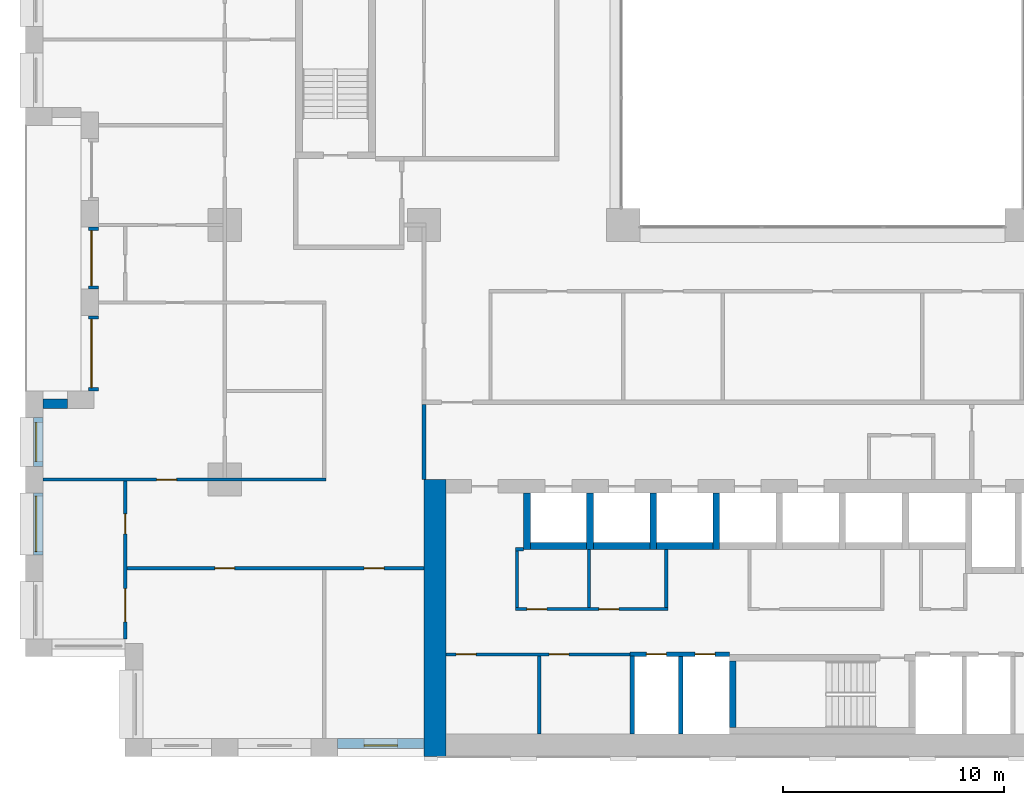
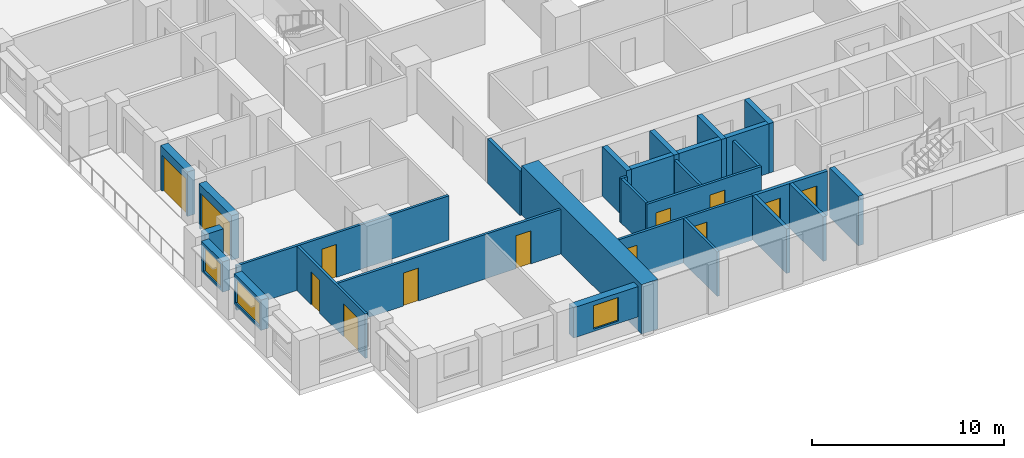
# One storey, part 9 of 20: 29 walls, 13 doors, 3 windows, 16 openings.
"""IFC4 building model written with IfcOpenShell, lengths in metres."""

from ifc_helpers import new_model, si_unit, direction, frame, frame_2d, origin, place, context, subcontext, project, spatial, rectangle, extrude, material, layer, layer_set, type_object, element, fill, save


model = new_model("IFC4")

# Units and contexts
model_context = context("Model", 3, precision=1e-05, world=origin(), true_north=direction((0.0, 1.0)))
body_context = subcontext(model_context, "Body", "Model", "MODEL_VIEW")
ifc_project = project(units=[si_unit("LENGTHUNIT", "METRE"), si_unit("AREAUNIT", "SQUARE_METRE"), si_unit("VOLUMEUNIT", "CUBIC_METRE"), si_unit("PLANEANGLEUNIT", "RADIAN"), si_unit("MASSUNIT", "GRAM", prefix="KILO")], contexts=[model_context])

# Site, building, storey
site_placement = place(None, origin())
site = spatial("IfcSite", under=ifc_project, at=site_placement, CompositionType="ELEMENT")
building_placement = place(site_placement, origin())
building = spatial("IfcBuilding", under=site, at=building_placement, Name="Brigalow Station Residences", CompositionType="ELEMENT")
storey_placement = place(building_placement, frame((0.0, 0.0, 41.550048828125)))
storey = spatial("IfcBuildingStorey", under=building, at=storey_placement, Name="L11", CompositionType="ELEMENT", Elevation=41.550048828125)

# Wall, opening, window
ifc_material_1 = material(Name="Clay brick masonry", Category="masonry")
ifc_layer_1 = layer(ifc_material_1, 0.449951171875)
ifc_layer_set_1 = layer_set([ifc_layer_1], Name="BRICK INFILL WALL 450")
wall_type_1 = type_object("IfcWallType", Name="BRICK INFILL WALL 450", PredefinedType="SOLIDWALL", material=ifc_layer_set_1)
wall_1_placement = place(storey_placement, frame((14.10009765625, 0.574951171875, 0.89990234375), z_axis=(0.0, 0.0, 1.0), x_axis=(1.0, 0.0, 0.0)))
wall_1 = element("IfcWall", 1, at=wall_1_placement, inside=storey, type_object=wall_type_1, Name="L11/ewall/W-L11-3", PredefinedType="SOLIDWALL", context=body_context, shape_type="SweptSolid", body=[
    extrude(rectangle(XDim=3.89990234375, YDim=0.449951171875, at=frame_2d((1.949951171875, 0.0))), origin(), (0.0, 0.0, 1.0), 1.929931640625),
])
opening_1_placement = place(wall_1_placement, frame((1.199951171875, 0.0, 0.14990234375)))
opening_1 = element("IfcOpeningElement", 2, at=opening_1_placement, cuts=wall_1, Name="Opening WT-1", PredefinedType="OPENING", context=body_context, shape_type="SweptSolid", body=[
    extrude(rectangle(XDim=1.5, YDim=1.5, at=frame_2d((0.75, 0.75))), frame((0.0, 0.23486328125, 0.0), z_axis=(0.0, -1.0, 0.0), x_axis=(1.0, 0.0, 0.0)), (0.0, 0.0, 1.0), 0.469970703125),
])
ifc_material_2 = material(Name="Anodised aluminium frame with double glazing", Category="aluminium")
window_type_1 = type_object("IfcWindowType", Name="WINDOW 1500x1500", PartitioningType="SINGLE_PANEL", PredefinedType="WINDOW", material=ifc_material_2)
window_1_placement = place(opening_1_placement, origin())
window_1 = element("IfcWindow", 3, at=window_1_placement, inside=storey, type_object=window_type_1, Name="L11/window/W-L11-3", OverallHeight=1.5, OverallWidth=1.5, PartitioningType="SINGLE_PANEL", PredefinedType="WINDOW", context=body_context, shape_type="SweptSolid", body=[
    extrude(rectangle(XDim=1.5, YDim=1.5, at=frame_2d((0.75, 0.75))), frame((0.0, -0.06494140625, 0.0), z_axis=(0.0, -1.0, 0.0), x_axis=(1.0, 0.0, 0.0)), (0.0, 0.0, 1.0), 0.06005859375),
])
fill(opening_1, window_1)

# Wall, opening, door
wall_2_placement = place(storey_placement, frame((3.074951171875, 23.89990234375, 0.0), z_axis=(0.0, 0.0, 1.0), x_axis=(0.0, -1.0, 0.0)))
wall_2 = element("IfcWall", 4, at=wall_2_placement, inside=storey, type_object=wall_type_1, Name="L11/ewall/W-L11-48", PredefinedType="SOLIDWALL", context=body_context, shape_type="SweptSolid", body=[
    extrude(rectangle(XDim=2.7998046875, YDim=0.449951171875, at=frame_2d((1.39990234375, 0.0))), origin(), (0.0, 0.0, 1.0), 2.829833984375),
])
opening_2_placement = place(wall_2_placement, frame((0.14990234375, 0.0, 0.0)))
opening_2 = element("IfcOpeningElement", 5, at=opening_2_placement, cuts=wall_2, Name="Opening D-B2500", PredefinedType="OPENING", context=body_context, shape_type="SweptSolid", body=[
    extrude(rectangle(XDim=2.5, YDim=2.300048828125, at=frame_2d((1.25, 1.14990234375))), frame((0.0, 0.23486328125, 0.0), z_axis=(0.0, -1.0, 0.0), x_axis=(1.0, 0.0, 0.0)), (0.0, 0.0, 1.0), 0.469970703125),
])
ifc_material_3 = material(Name="Anodised aluminium frame with double glazing", Category="aluminium")
door_type_1 = type_object("IfcDoorType", Name="BALCONY SLIDING DOOR 2500x2300", OperationType="SLIDING_TO_LEFT", PredefinedType="DOOR", material=ifc_material_3)
door_1_placement = place(opening_2_placement, origin())
door_1 = element("IfcDoor", 6, at=door_1_placement, inside=storey, type_object=door_type_1, Name="L11/balcony-door/W-L11-48", OperationType="SLIDING_TO_LEFT", OverallHeight=2.300048828125, OverallWidth=2.5, PredefinedType="DOOR", context=body_context, shape_type="SweptSolid", body=[
    extrude(rectangle(XDim=2.5, YDim=2.300048828125, at=frame_2d((1.25, 1.14990234375))), frame((0.0, -0.06982421875, 0.0), z_axis=(0.0, -1.0, 0.0), x_axis=(1.0, 0.0, 0.0)), (0.0, 0.0, 1.0), 0.050048828125),
])
fill(opening_2, door_1)

wall_3_placement = place(storey_placement, frame((3.074951171875, 19.89990234375, 0.0), z_axis=(0.0, 0.0, 1.0), x_axis=(0.0, -1.0, 0.0)))
wall_3 = element("IfcWall", 7, at=wall_3_placement, inside=storey, type_object=wall_type_1, Name="L11/ewall/W-L11-49", PredefinedType="SOLIDWALL", context=body_context, shape_type="SweptSolid", body=[
    extrude(rectangle(XDim=3.39990234375, YDim=0.449951171875, at=frame_2d((1.699951171875, 0.0))), origin(), (0.0, 0.0, 1.0), 2.829833984375),
])
opening_3_placement = place(wall_3_placement, frame((0.14990234375, 0.0, 0.0)))
opening_3 = element("IfcOpeningElement", 8, at=opening_3_placement, cuts=wall_3, Name="Opening D-B3100", PredefinedType="OPENING", context=body_context, shape_type="SweptSolid", body=[
    extrude(rectangle(XDim=3.10009765625, YDim=2.300048828125, at=frame_2d((1.550048828125, 1.14990234375))), frame((0.0, 0.23486328125, 0.0), z_axis=(0.0, -1.0, 0.0), x_axis=(1.0, 0.0, 0.0)), (0.0, 0.0, 1.0), 0.469970703125),
])
ifc_material_4 = material(Name="Anodised aluminium frame with double glazing", Category="aluminium")
door_type_2 = type_object("IfcDoorType", Name="BALCONY SLIDING DOOR 3100x2300", OperationType="SLIDING_TO_LEFT", PredefinedType="DOOR", material=ifc_material_4)
door_2_placement = place(opening_3_placement, origin())
door_2 = element("IfcDoor", 9, at=door_2_placement, inside=storey, type_object=door_type_2, Name="L11/balcony-door/W-L11-49", OperationType="SLIDING_TO_LEFT", OverallHeight=2.300048828125, OverallWidth=3.10009765625, PredefinedType="DOOR", context=body_context, shape_type="SweptSolid", body=[
    extrude(rectangle(XDim=3.10009765625, YDim=2.300048828125, at=frame_2d((1.550048828125, 1.14990234375))), frame((0.0, -0.06982421875, 0.0), z_axis=(0.0, -1.0, 0.0), x_axis=(1.0, 0.0, 0.0)), (0.0, 0.0, 1.0), 0.050048828125),
])
fill(opening_3, door_2)

# Wall
wall_4_placement = place(storey_placement, frame((1.89990234375, 15.925048828125, 0.89990234375), z_axis=(0.0, 0.0, 1.0), x_axis=(-1.0, 0.0, 0.0)))
element("IfcWall", 10, at=wall_4_placement, inside=storey, type_object=wall_type_1, Name="L11/ewall/W-L11-50", PredefinedType="SOLIDWALL", context=body_context, shape_type="SweptSolid", body=[
    extrude(rectangle(XDim=1.099853515625, YDim=0.449951171875, at=frame_2d((0.5498046875, 0.0))), origin(), (0.0, 0.0, 1.0), 1.929931640625),
])

# Wall, opening, window
wall_5_placement = place(storey_placement, frame((0.574951171875, 15.300048828125, 0.89990234375), z_axis=(0.0, 0.0, 1.0), x_axis=(0.0, -1.0, 0.0)))
wall_5 = element("IfcWall", 11, at=wall_5_placement, inside=storey, type_object=wall_type_1, Name="L11/ewall/W-L11-51", PredefinedType="SOLIDWALL", context=body_context, shape_type="SweptSolid", body=[
    extrude(rectangle(XDim=2.199951171875, YDim=0.449951171875, at=frame_2d((1.10009765625, 0.0))), origin(), (0.0, 0.0, 1.0), 1.929931640625),
])
opening_4_placement = place(wall_5_placement, frame((0.22509765625, 0.0, 0.14990234375)))
opening_4 = element("IfcOpeningElement", 12, at=opening_4_placement, cuts=wall_5, Name="Opening WT-4", PredefinedType="OPENING", context=body_context, shape_type="SweptSolid", body=[
    extrude(rectangle(XDim=1.75, YDim=1.5, at=frame_2d((0.875, 0.75))), frame((0.0, 0.23486328125, 0.0), z_axis=(0.0, -1.0, 0.0), x_axis=(1.0, 0.0, 0.0)), (0.0, 0.0, 1.0), 0.469970703125),
])
ifc_material_5 = material(Name="Anodised aluminium frame with double glazing", Category="aluminium")
window_type_2 = type_object("IfcWindowType", Name="WINDOW 1750x1500", PartitioningType="SINGLE_PANEL", PredefinedType="WINDOW", material=ifc_material_5)
window_2_placement = place(opening_4_placement, origin())
window_2 = element("IfcWindow", 13, at=window_2_placement, inside=storey, type_object=window_type_2, Name="L11/window/W-L11-51", OverallHeight=1.5, OverallWidth=1.75, PartitioningType="SINGLE_PANEL", PredefinedType="WINDOW", context=body_context, shape_type="SweptSolid", body=[
    extrude(rectangle(XDim=1.75, YDim=1.5, at=frame_2d((0.875, 0.75))), frame((0.0, -0.06494140625, 0.0), z_axis=(0.0, -1.0, 0.0), x_axis=(1.0, 0.0, 0.0)), (0.0, 0.0, 1.0), 0.06005859375),
])
fill(opening_4, window_2)

wall_6_placement = place(storey_placement, frame((0.574951171875, 11.89990234375, 0.89990234375), z_axis=(0.0, 0.0, 1.0), x_axis=(0.0, -1.0, 0.0)))
wall_6 = element("IfcWall", 14, at=wall_6_placement, inside=storey, type_object=wall_type_1, Name="L11/ewall/W-L11-52", PredefinedType="SOLIDWALL", context=body_context, shape_type="SweptSolid", body=[
    extrude(rectangle(XDim=2.7998046875, YDim=0.449951171875, at=frame_2d((1.39990234375, 0.0))), origin(), (0.0, 0.0, 1.0), 1.929931640625),
])
opening_5_placement = place(wall_6_placement, frame((0.14990234375, 0.0, 0.14990234375)))
opening_5 = element("IfcOpeningElement", 15, at=opening_5_placement, cuts=wall_6, Name="Opening WT-5", PredefinedType="OPENING", context=body_context, shape_type="SweptSolid", body=[
    extrude(rectangle(XDim=2.5, YDim=1.5, at=frame_2d((1.25, 0.75))), frame((0.0, 0.23486328125, 0.0), z_axis=(0.0, -1.0, 0.0), x_axis=(1.0, 0.0, 0.0)), (0.0, 0.0, 1.0), 0.469970703125),
])
ifc_material_6 = material(Name="Anodised aluminium frame with double glazing", Category="aluminium")
window_type_3 = type_object("IfcWindowType", Name="WINDOW 2500x1500", PartitioningType="SINGLE_PANEL", PredefinedType="WINDOW", material=ifc_material_6)
window_3_placement = place(opening_5_placement, origin())
window_3 = element("IfcWindow", 16, at=window_3_placement, inside=storey, type_object=window_type_3, Name="L11/window/W-L11-52", OverallHeight=1.5, OverallWidth=2.5, PartitioningType="SINGLE_PANEL", PredefinedType="WINDOW", context=body_context, shape_type="SweptSolid", body=[
    extrude(rectangle(XDim=2.5, YDim=1.5, at=frame_2d((1.25, 0.75))), frame((0.0, -0.06494140625, 0.0), z_axis=(0.0, -1.0, 0.0), x_axis=(1.0, 0.0, 0.0)), (0.0, 0.0, 1.0), 0.06005859375),
])
fill(opening_5, window_3)

# Walls
ifc_material_7 = material(Name="Concrete C80", Category="concrete")
ifc_layer_2 = layer(ifc_material_7, 1.0)
ifc_layer_set_2 = layer_set([ifc_layer_2], Name="CORE SHEAR WALL 1000 C80")
wall_type_2 = type_object("IfcWallType", Name="CORE SHEAR WALL 1000 C80", PredefinedType="SHEAR", material=ifc_layer_set_2)
wall_7_placement = place(storey_placement, frame((18.5, 0.0, 0.0), z_axis=(0.0, 0.0, 1.0), x_axis=(0.0, 1.0, 0.0)))
element("IfcWall", 17, at=wall_7_placement, inside=storey, type_object=wall_type_2, Name="CORE WALL OUT-W L11", PredefinedType="SHEAR", context=body_context, shape_type="SweptSolid", body=[
    extrude(rectangle(XDim=12.5, YDim=1.0, at=frame_2d((6.25, 0.0))), origin(), (0.0, 0.0, 1.0), 3.14990234375),
])
ifc_material_8 = material(Name="Concrete C80", Category="concrete")
ifc_layer_3 = layer(ifc_material_8, 0.300048828125)
ifc_layer_set_3 = layer_set([ifc_layer_3], Name="CORE SHEAR WALL 300 C80")
wall_type_3 = type_object("IfcWallType", Name="CORE SHEAR WALL 300 C80", PredefinedType="SHEAR", material=ifc_layer_set_3)
wall_8_placement = place(storey_placement, frame((22.800048828125, 9.5, 0.0), z_axis=(0.0, 0.0, 1.0), x_axis=(1.0, 0.0, 0.0)))
element("IfcWall", 18, at=wall_8_placement, inside=storey, type_object=wall_type_3, Name="CORE WALL SH-P1-S L11", PredefinedType="SHEAR", context=body_context, shape_type="SweptSolid", body=[
    extrude(rectangle(XDim=2.550048828125, YDim=0.300048828125, at=frame_2d((1.27490234375, 0.0))), origin(), (0.0, 0.0, 1.0), 3.14990234375),
])
wall_9_placement = place(storey_placement, frame((22.64990234375, 9.35009765625, 0.0), z_axis=(0.0, 0.0, 1.0), x_axis=(0.0, 1.0, 0.0)))
element("IfcWall", 19, at=wall_9_placement, inside=storey, type_object=wall_type_3, Name="CORE WALL SH-P1-W L11", PredefinedType="SHEAR", context=body_context, shape_type="SweptSolid", body=[
    extrude(rectangle(XDim=2.5498046875, YDim=0.300048828125, at=frame_2d((1.27490234375, 0.0))), origin(), (0.0, 0.0, 1.0), 3.14990234375),
])
wall_10_placement = place(storey_placement, frame((25.64990234375, 9.5, 0.0), z_axis=(0.0, 0.0, 1.0), x_axis=(1.0, 0.0, 0.0)))
element("IfcWall", 20, at=wall_10_placement, inside=storey, type_object=wall_type_3, Name="CORE WALL SH-P2-S L11", PredefinedType="SHEAR", context=body_context, shape_type="SweptSolid", body=[
    extrude(rectangle(XDim=2.550048828125, YDim=0.300048828125, at=frame_2d((1.27490234375, 0.0))), origin(), (0.0, 0.0, 1.0), 3.14990234375),
])
wall_11_placement = place(storey_placement, frame((25.5, 9.35009765625, 0.0), z_axis=(0.0, 0.0, 1.0), x_axis=(0.0, 1.0, 0.0)))
element("IfcWall", 21, at=wall_11_placement, inside=storey, type_object=wall_type_3, Name="CORE WALL SH-P2-W L11", PredefinedType="SHEAR", context=body_context, shape_type="SweptSolid", body=[
    extrude(rectangle(XDim=2.5498046875, YDim=0.300048828125, at=frame_2d((1.27490234375, 0.0))), origin(), (0.0, 0.0, 1.0), 3.14990234375),
])
wall_12_placement = place(storey_placement, frame((28.5, 9.5, 0.0), z_axis=(0.0, 0.0, 1.0), x_axis=(1.0, 0.0, 0.0)))
element("IfcWall", 22, at=wall_12_placement, inside=storey, type_object=wall_type_3, Name="CORE WALL SH-P3-S L11", PredefinedType="SHEAR", context=body_context, shape_type="SweptSolid", body=[
    extrude(rectangle(XDim=2.550048828125, YDim=0.300048828125, at=frame_2d((1.27490234375, 0.0))), origin(), (0.0, 0.0, 1.0), 3.14990234375),
])
for number, where, z_axis, x_axis, name in (
    (23, (28.35009765625, 9.35009765625, 0.0), (0.0, 0.0, 1.0), (0.0, 1.0, 0.0), "CORE WALL SH-P3-W L11"),
    (24, (31.199951171875, 9.35009765625, 0.0), (0.0, 0.0, 1.0), (0.0, 1.0, 0.0), "CORE WALL SH-P4-W L11"),
):
    element("IfcWall", number, at=place(storey_placement, frame(where, z_axis=z_axis, x_axis=x_axis)), inside=storey, type_object=wall_type_3, Name=name, PredefinedType="SHEAR", context=body_context, shape_type="SweptSolid", body=[
        extrude(rectangle(XDim=2.5498046875, YDim=0.300048828125, at=frame_2d((1.27490234375, 0.0))), origin(), (0.0, 0.0, 1.0), 3.14990234375),
    ])
wall_13_placement = place(storey_placement, frame((31.949951171875, 1.300048828125, 0.0), z_axis=(0.0, 0.0, 1.0), x_axis=(0.0, 1.0, 0.0)))
element("IfcWall", 25, at=wall_13_placement, inside=storey, type_object=wall_type_3, Name="CORE WALL ST-S2-W L11", PredefinedType="SHEAR", context=body_context, shape_type="SweptSolid", body=[
    extrude(rectangle(XDim=3.0, YDim=0.300048828125, at=frame_2d((1.5, 0.0))), origin(), (0.0, 0.0, 1.0), 3.14990234375),
])

# Wall, openings, doors
ifc_material_9 = material(Name="Concrete blockwork", Category="masonry")
ifc_layer_4 = layer(ifc_material_9, 0.199951171875)
ifc_layer_set_4 = layer_set([ifc_layer_4], Name="FIRE RATED CORE PARTITION 200")
wall_type_4 = type_object("IfcWallType", Name="FIRE RATED CORE PARTITION 200", PredefinedType="PARTITIONING", material=ifc_layer_set_4)
wall_14_placement = place(storey_placement, frame((27.300048828125, 4.60009765625, 0.0), z_axis=(0.0, 0.0, 1.0), x_axis=(1.0, 0.0, 0.0)))
wall_14 = element("IfcWall", 26, at=wall_14_placement, inside=storey, type_object=wall_type_4, Name="PW-5017", PredefinedType="PARTITIONING", context=body_context, shape_type="SweptSolid", body=[
    extrude(rectangle(XDim=4.5, YDim=0.199951171875, at=frame_2d((2.25, 0.0))), origin(), (0.0, 0.0, 1.0), 2.829833984375),
])
opening_6_placement = place(wall_14_placement, frame((0.75, 0.0, 0.0)))
opening_6 = element("IfcOpeningElement", 27, at=opening_6_placement, cuts=wall_14, Name="Opening D-5007", PredefinedType="OPENING", context=body_context, shape_type="SweptSolid", body=[
    extrude(rectangle(XDim=0.89990234375, YDim=2.10009765625, at=frame_2d((0.449951171875, 1.050048828125))), frame((0.0, 0.10986328125, 0.0), z_axis=(0.0, -1.0, 0.0), x_axis=(1.0, 0.0, 0.0)), (0.0, 0.0, 1.0), 0.219970703125),
])
opening_7_placement = place(wall_14_placement, frame((2.949951171875, 0.0, 0.0)))
opening_7 = element("IfcOpeningElement", 28, at=opening_7_placement, cuts=wall_14, Name="Opening D-5008", PredefinedType="OPENING", context=body_context, shape_type="SweptSolid", body=[
    extrude(rectangle(XDim=0.89990234375, YDim=2.10009765625, at=frame_2d((0.449951171875, 1.050048828125))), frame((0.0, 0.10986328125, 0.0), z_axis=(0.0, -1.0, 0.0), x_axis=(1.0, 0.0, 0.0)), (0.0, 0.0, 1.0), 0.219970703125),
])
ifc_material_10 = material(Name="Steel fire door leaf in steel frame", Category="steel")
door_type_3 = type_object("IfcDoorType", Name="RISER ACCESS DOOR 900 x 2100 FD120", OperationType="SINGLE_SWING_LEFT", PredefinedType="DOOR", material=ifc_material_10)
door_3_placement = place(opening_6_placement, frame((0.89990234375, 0.0, 0.0), z_axis=(0.0, 0.0, 1.0), x_axis=(-1.0, 0.0, 0.0)))
door_3 = element("IfcDoor", 29, at=door_3_placement, inside=storey, type_object=door_type_3, Name="D-5007", OperationType="SINGLE_SWING_RIGHT", OverallHeight=2.10009765625, OverallWidth=0.89990234375, PredefinedType="DOOR", context=body_context, shape_type="SweptSolid", body=[
    extrude(rectangle(XDim=0.89990234375, YDim=2.10009765625, at=frame_2d((0.449951171875, 1.050048828125))), frame((0.0, 0.02490234375, 0.0), z_axis=(0.0, -1.0, 0.0), x_axis=(1.0, 0.0, 0.0)), (0.0, 0.0, 1.0), 0.050048828125),
])
fill(opening_6, door_3)
door_4_placement = place(opening_7_placement, frame((0.89990234375, 0.0, 0.0), z_axis=(0.0, 0.0, 1.0), x_axis=(-1.0, 0.0, 0.0)))
door_4 = element("IfcDoor", 30, at=door_4_placement, inside=storey, type_object=door_type_3, Name="D-5008", OperationType="SINGLE_SWING_RIGHT", OverallHeight=2.10009765625, OverallWidth=0.89990234375, PredefinedType="DOOR", context=body_context, shape_type="SweptSolid", body=[
    extrude(rectangle(XDim=0.89990234375, YDim=2.10009765625, at=frame_2d((0.449951171875, 1.050048828125))), frame((0.0, 0.02490234375, 0.0), z_axis=(0.0, -1.0, 0.0), x_axis=(1.0, 0.0, 0.0)), (0.0, 0.0, 1.0), 0.050048828125),
])
fill(opening_7, door_4)

# Walls
wall_15_placement = place(storey_placement, frame((27.39990234375, 1.0, 0.0), z_axis=(0.0, 0.0, 1.0), x_axis=(0.0, 1.0, 0.0)))
element("IfcWall", 31, at=wall_15_placement, inside=storey, type_object=wall_type_4, Name="PW-5027", PredefinedType="PARTITIONING", context=body_context, shape_type="SweptSolid", body=[
    extrude(rectangle(XDim=3.52490234375, YDim=0.199951171875, at=frame_2d((1.762451171875, 0.0))), origin(), (0.0, 0.0, 1.0), 2.829833984375),
])
wall_16_placement = place(storey_placement, frame((29.60009765625, 1.0, 0.0), z_axis=(0.0, 0.0, 1.0), x_axis=(0.0, 1.0, 0.0)))
element("IfcWall", 32, at=wall_16_placement, inside=storey, type_object=wall_type_4, Name="PW-5006", PredefinedType="PARTITIONING", context=body_context, shape_type="SweptSolid", body=[
    extrude(rectangle(XDim=3.5, YDim=0.199951171875, at=frame_2d((1.75, 0.0))), origin(), (0.0, 0.0, 1.0), 2.829833984375),
])
wall_17_placement = place(storey_placement, frame((18.0, 12.5, 0.0), z_axis=(0.0, 0.0, 1.0), x_axis=(0.0, 1.0, 0.0)))
element("IfcWall", 33, at=wall_17_placement, inside=storey, type_object=wall_type_4, Name="PW-5013", PredefinedType="PARTITIONING", context=body_context, shape_type="SweptSolid", body=[
    extrude(rectangle(XDim=3.39990234375, YDim=0.199951171875, at=frame_2d((1.699951171875, 0.0))), origin(), (0.0, 0.0, 1.0), 2.829833984375),
])

# Wall, openings, doors
ifc_material_11 = material(Name="Plasterboard on steel stud partition", Category="steel")
ifc_layer_5 = layer(ifc_material_11, 0.14990234375)
ifc_layer_set_5 = layer_set([ifc_layer_5], Name="FLAT PARTITION 150")
wall_type_5 = type_object("IfcWallType", Name="FLAT PARTITION 150", PredefinedType="PARTITIONING", material=ifc_layer_set_5)
wall_18_placement = place(storey_placement, frame((4.574951171875, 8.5, 0.0), z_axis=(0.0, 0.0, 1.0), x_axis=(1.0, 0.0, 0.0)))
wall_18 = element("IfcWall", 34, at=wall_18_placement, inside=storey, type_object=wall_type_5, Name="PW-1C12", PredefinedType="PARTITIONING", context=body_context, shape_type="SweptSolid", body=[
    extrude(rectangle(XDim=13.425048828125, YDim=0.14990234375, at=frame_2d((6.71240234375, 0.0))), origin(), (0.0, 0.0, 1.0), 2.829833984375),
])
opening_8_placement = place(wall_18_placement, frame((10.72509765625, 0.0, 0.0)))
opening_8 = element("IfcOpeningElement", 35, at=opening_8_placement, cuts=wall_18, Name="Opening D-1C12", PredefinedType="OPENING", context=body_context, shape_type="SweptSolid", body=[
    extrude(rectangle(XDim=0.89990234375, YDim=2.10009765625, at=frame_2d((0.449951171875, 1.050048828125))), frame((0.0, 0.0849609375, 0.0), z_axis=(0.0, -1.0, 0.0), x_axis=(1.0, 0.0, 0.0)), (0.0, 0.0, 1.0), 0.169921875),
])
opening_9_placement = place(wall_18_placement, frame((3.97509765625, 0.0, 0.0)))
opening_9 = element("IfcOpeningElement", 36, at=opening_9_placement, cuts=wall_18, Name="Opening D-1C14", PredefinedType="OPENING", context=body_context, shape_type="SweptSolid", body=[
    extrude(rectangle(XDim=0.89990234375, YDim=2.10009765625, at=frame_2d((0.449951171875, 1.050048828125))), frame((0.0, 0.0849609375, 0.0), z_axis=(0.0, -1.0, 0.0), x_axis=(1.0, 0.0, 0.0)), (0.0, 0.0, 1.0), 0.169921875),
])
ifc_material_12 = material(Name="Solid-core timber door leaf", Category="wood")
door_type_4 = type_object("IfcDoorType", Name="INTERNAL DOOR 900 x 2100", OperationType="SINGLE_SWING_LEFT", PredefinedType="DOOR", material=ifc_material_12)
door_5_placement = place(opening_8_placement, frame((0.89990234375, 0.0, 0.0), z_axis=(0.0, 0.0, 1.0), x_axis=(-1.0, 0.0, 0.0)))
door_5 = element("IfcDoor", 37, at=door_5_placement, inside=storey, type_object=door_type_4, Name="D-1C12", OperationType="SINGLE_SWING_RIGHT", OverallHeight=2.10009765625, OverallWidth=0.89990234375, PredefinedType="DOOR", context=body_context, shape_type="SweptSolid", body=[
    extrude(rectangle(XDim=0.89990234375, YDim=2.10009765625, at=frame_2d((0.449951171875, 1.050048828125))), frame((0.0, 0.02490234375, 0.0), z_axis=(0.0, -1.0, 0.0), x_axis=(1.0, 0.0, 0.0)), (0.0, 0.0, 1.0), 0.050048828125),
])
fill(opening_8, door_5)
door_6_placement = place(opening_9_placement, frame((0.89990234375, 0.0, 0.0), z_axis=(0.0, 0.0, 1.0), x_axis=(-1.0, 0.0, 0.0)))
door_6 = element("IfcDoor", 38, at=door_6_placement, inside=storey, type_object=door_type_4, Name="D-1C14", OperationType="SINGLE_SWING_LEFT", OverallHeight=2.10009765625, OverallWidth=0.89990234375, PredefinedType="DOOR", context=body_context, shape_type="SweptSolid", body=[
    extrude(rectangle(XDim=0.89990234375, YDim=2.10009765625, at=frame_2d((0.449951171875, 1.050048828125))), frame((0.0, 0.02490234375, 0.0), z_axis=(0.0, -1.0, 0.0), x_axis=(1.0, 0.0, 0.0)), (0.0, 0.0, 1.0), 0.050048828125),
])
fill(opening_9, door_6)

# Wall, opening, door
wall_19_placement = place(storey_placement, frame((0.800048828125, 12.5, 0.0), z_axis=(0.0, 0.0, 1.0), x_axis=(1.0, 0.0, 0.0)))
wall_19 = element("IfcWall", 39, at=wall_19_placement, inside=storey, type_object=wall_type_5, Name="PW-1C14", PredefinedType="PARTITIONING", context=body_context, shape_type="SweptSolid", body=[
    extrude(rectangle(XDim=12.77490234375, YDim=0.14990234375, at=frame_2d((6.387451171875, 0.0))), origin(), (0.0, 0.0, 1.0), 2.829833984375),
])
opening_10_placement = place(wall_19_placement, frame((5.125, 0.0, 0.0)))
opening_10 = element("IfcOpeningElement", 40, at=opening_10_placement, cuts=wall_19, Name="Opening D-1C15", PredefinedType="OPENING", context=body_context, shape_type="SweptSolid", body=[
    extrude(rectangle(XDim=0.89990234375, YDim=2.10009765625, at=frame_2d((0.449951171875, 1.050048828125))), frame((0.0, 0.0849609375, 0.0), z_axis=(0.0, -1.0, 0.0), x_axis=(1.0, 0.0, 0.0)), (0.0, 0.0, 1.0), 0.169921875),
])
door_7_placement = place(opening_10_placement, origin())
door_7 = element("IfcDoor", 41, at=door_7_placement, inside=storey, type_object=door_type_4, Name="D-1C15", OperationType="SINGLE_SWING_RIGHT", OverallHeight=2.10009765625, OverallWidth=0.89990234375, PredefinedType="DOOR", context=body_context, shape_type="SweptSolid", body=[
    extrude(rectangle(XDim=0.89990234375, YDim=2.10009765625, at=frame_2d((0.449951171875, 1.050048828125))), frame((0.0, 0.02490234375, 0.0), z_axis=(0.0, -1.0, 0.0), x_axis=(1.0, 0.0, 0.0)), (0.0, 0.0, 1.0), 0.050048828125),
])
fill(opening_10, door_7)

# Wall, openings, doors
wall_20_placement = place(storey_placement, frame((4.5, 5.300048828125, 0.0), z_axis=(0.0, 0.0, 1.0), x_axis=(0.0, 1.0, 0.0)))
wall_20 = element("IfcWall", 42, at=wall_20_placement, inside=storey, type_object=wall_type_5, Name="PW-1C51", PredefinedType="PARTITIONING", context=body_context, shape_type="SweptSolid", body=[
    extrude(rectangle(XDim=7.125, YDim=0.14990234375, at=frame_2d((3.5625, 0.0))), origin(), (0.0, 0.0, 1.0), 2.829833984375),
])
opening_11_placement = place(wall_20_placement, frame((4.75, 0.0, 0.0)))
opening_11 = element("IfcOpeningElement", 43, at=opening_11_placement, cuts=wall_20, Name="Opening D-1C07", PredefinedType="OPENING", context=body_context, shape_type="SweptSolid", body=[
    extrude(rectangle(XDim=0.89990234375, YDim=2.10009765625, at=frame_2d((0.449951171875, 1.050048828125))), frame((0.0, 0.0849609375, 0.0), z_axis=(0.0, -1.0, 0.0), x_axis=(1.0, 0.0, 0.0)), (0.0, 0.0, 1.0), 0.169921875),
])
opening_12_placement = place(wall_20_placement, frame((0.77490234375, 0.0, 0.0)))
opening_12 = element("IfcOpeningElement", 44, at=opening_12_placement, cuts=wall_20, Name="Opening D-1C08", PredefinedType="OPENING", context=body_context, shape_type="SweptSolid", body=[
    extrude(rectangle(XDim=1.5, YDim=2.10009765625, at=frame_2d((0.75, 1.050048828125))), frame((0.0, 0.0849609375, 0.0), z_axis=(0.0, -1.0, 0.0), x_axis=(1.0, 0.0, 0.0)), (0.0, 0.0, 1.0), 0.169921875),
])
door_8_placement = place(opening_11_placement, origin())
door_8 = element("IfcDoor", 45, at=door_8_placement, inside=storey, type_object=door_type_4, Name="D-1C07", OperationType="SINGLE_SWING_RIGHT", OverallHeight=2.10009765625, OverallWidth=0.89990234375, PredefinedType="DOOR", context=body_context, shape_type="SweptSolid", body=[
    extrude(rectangle(XDim=0.89990234375, YDim=2.10009765625, at=frame_2d((0.449951171875, 1.050048828125))), frame((0.0, 0.02490234375, 0.0), z_axis=(0.0, -1.0, 0.0), x_axis=(1.0, 0.0, 0.0)), (0.0, 0.0, 1.0), 0.050048828125),
])
fill(opening_11, door_8)
ifc_material_13 = material(Name="Solid-core timber door leaf", Category="wood")
door_type_5 = type_object("IfcDoorType", Name="INTERNAL DOUBLE DOOR 1500 x 2100", OperationType="DOUBLE_DOOR_SINGLE_SWING", PredefinedType="DOOR", material=ifc_material_13)
door_9_placement = place(opening_12_placement, origin())
door_9 = element("IfcDoor", 46, at=door_9_placement, inside=storey, type_object=door_type_5, Name="D-1C08", OperationType="DOUBLE_DOOR_SINGLE_SWING", OverallHeight=2.10009765625, OverallWidth=1.5, PredefinedType="DOOR", context=body_context, shape_type="SweptSolid", body=[
    extrude(rectangle(XDim=1.5, YDim=2.10009765625, at=frame_2d((0.75, 1.050048828125))), frame((0.0, 0.02490234375, 0.0), z_axis=(0.0, -1.0, 0.0), x_axis=(1.0, 0.0, 0.0)), (0.0, 0.0, 1.0), 0.050048828125),
])
fill(opening_12, door_9)

ifc_material_14 = material(Name="Plasterboard on steel studs", Category="steel")
ifc_layer_6 = layer(ifc_material_14, 0.14990234375)
ifc_layer_set_6 = layer_set([ifc_layer_6], Name="SERVICE ROOM PARTITION 150")
wall_type_6 = type_object("IfcWallType", Name="SERVICE ROOM PARTITION 150", PredefinedType="PARTITIONING", material=ifc_layer_set_6)
wall_21_placement = place(storey_placement, frame((19.0, 4.60009765625, 0.0), z_axis=(0.0, 0.0, 1.0), x_axis=(1.0, 0.0, 0.0)))
wall_21 = element("IfcWall", 47, at=wall_21_placement, inside=storey, type_object=wall_type_6, Name="PW-5019", PredefinedType="PARTITIONING", context=body_context, shape_type="SweptSolid", body=[
    extrude(rectangle(XDim=8.300048828125, YDim=0.14990234375, at=frame_2d((4.14990234375, 0.0))), origin(), (0.0, 0.0, 1.0), 2.829833984375),
])
opening_13_placement = place(wall_21_placement, frame((0.449951171875, 0.0, 0.0)))
opening_13 = element("IfcOpeningElement", 48, at=opening_13_placement, cuts=wall_21, Name="Opening D-5025", PredefinedType="OPENING", context=body_context, shape_type="SweptSolid", body=[
    extrude(rectangle(XDim=0.89990234375, YDim=2.10009765625, at=frame_2d((0.449951171875, 1.050048828125))), frame((0.0, 0.0849609375, 0.0), z_axis=(0.0, -1.0, 0.0), x_axis=(1.0, 0.0, 0.0)), (0.0, 0.0, 1.0), 0.169921875),
])
opening_14_placement = place(wall_21_placement, frame((4.64990234375, 0.0, 0.0)))
opening_14 = element("IfcOpeningElement", 49, at=opening_14_placement, cuts=wall_21, Name="Opening D-5074", PredefinedType="OPENING", context=body_context, shape_type="SweptSolid", body=[
    extrude(rectangle(XDim=0.89990234375, YDim=2.10009765625, at=frame_2d((0.449951171875, 1.050048828125))), frame((0.0, 0.0849609375, 0.0), z_axis=(0.0, -1.0, 0.0), x_axis=(1.0, 0.0, 0.0)), (0.0, 0.0, 1.0), 0.169921875),
])
ifc_material_15 = material(Name="Steel door leaf in steel frame", Category="steel")
door_type_6 = type_object("IfcDoorType", Name="SERVICE ROOM DOOR 900 x 2100 FD60", OperationType="SINGLE_SWING_LEFT", PredefinedType="DOOR", material=ifc_material_15)
door_10_placement = place(opening_13_placement, frame((0.89990234375, 0.0, 0.0), z_axis=(0.0, 0.0, 1.0), x_axis=(-1.0, 0.0, 0.0)))
door_10 = element("IfcDoor", 50, at=door_10_placement, inside=storey, type_object=door_type_6, Name="D-5025", OperationType="SINGLE_SWING_RIGHT", OverallHeight=2.10009765625, OverallWidth=0.89990234375, PredefinedType="DOOR", context=body_context, shape_type="SweptSolid", body=[
    extrude(rectangle(XDim=0.89990234375, YDim=2.10009765625, at=frame_2d((0.449951171875, 1.050048828125))), frame((0.0, 0.02490234375, 0.0), z_axis=(0.0, -1.0, 0.0), x_axis=(1.0, 0.0, 0.0)), (0.0, 0.0, 1.0), 0.050048828125),
])
fill(opening_13, door_10)
door_11_placement = place(opening_14_placement, frame((0.89990234375, 0.0, 0.0), z_axis=(0.0, 0.0, 1.0), x_axis=(-1.0, 0.0, 0.0)))
door_11 = element("IfcDoor", 51, at=door_11_placement, inside=storey, type_object=door_type_6, Name="D-5074", OperationType="SINGLE_SWING_RIGHT", OverallHeight=2.10009765625, OverallWidth=0.89990234375, PredefinedType="DOOR", context=body_context, shape_type="SweptSolid", body=[
    extrude(rectangle(XDim=0.89990234375, YDim=2.10009765625, at=frame_2d((0.449951171875, 1.050048828125))), frame((0.0, 0.02490234375, 0.0), z_axis=(0.0, -1.0, 0.0), x_axis=(1.0, 0.0, 0.0)), (0.0, 0.0, 1.0), 0.050048828125),
])
fill(opening_14, door_11)

wall_22_placement = place(storey_placement, frame((22.125, 6.64990234375, 0.0), z_axis=(0.0, 0.0, 1.0), x_axis=(1.0, 0.0, 0.0)))
wall_22 = element("IfcWall", 52, at=wall_22_placement, inside=storey, type_object=wall_type_6, Name="PW-5126", PredefinedType="PARTITIONING", context=body_context, shape_type="SweptSolid", body=[
    extrude(rectangle(XDim=6.89990234375, YDim=0.14990234375, at=frame_2d((3.449951171875, 0.0))), origin(), (0.0, 0.0, 1.0), 2.829833984375),
])
opening_15_placement = place(wall_22_placement, frame((0.52490234375, 0.0, 0.0)))
opening_15 = element("IfcOpeningElement", 53, at=opening_15_placement, cuts=wall_22, Name="Opening D-5021", PredefinedType="OPENING", context=body_context, shape_type="SweptSolid", body=[
    extrude(rectangle(XDim=0.89990234375, YDim=2.10009765625, at=frame_2d((0.449951171875, 1.050048828125))), frame((0.0, 0.0849609375, 0.0), z_axis=(0.0, -1.0, 0.0), x_axis=(1.0, 0.0, 0.0)), (0.0, 0.0, 1.0), 0.169921875),
])
opening_16_placement = place(wall_22_placement, frame((3.77490234375, 0.0, 0.0)))
opening_16 = element("IfcOpeningElement", 54, at=opening_16_placement, cuts=wall_22, Name="Opening D-5072", PredefinedType="OPENING", context=body_context, shape_type="SweptSolid", body=[
    extrude(rectangle(XDim=0.89990234375, YDim=2.10009765625, at=frame_2d((0.449951171875, 1.050048828125))), frame((0.0, 0.0849609375, 0.0), z_axis=(0.0, -1.0, 0.0), x_axis=(1.0, 0.0, 0.0)), (0.0, 0.0, 1.0), 0.169921875),
])
door_12_placement = place(opening_15_placement, origin())
door_12 = element("IfcDoor", 55, at=door_12_placement, inside=storey, type_object=door_type_6, Name="D-5021", OperationType="SINGLE_SWING_LEFT", OverallHeight=2.10009765625, OverallWidth=0.89990234375, PredefinedType="DOOR", context=body_context, shape_type="SweptSolid", body=[
    extrude(rectangle(XDim=0.89990234375, YDim=2.10009765625, at=frame_2d((0.449951171875, 1.050048828125))), frame((0.0, 0.02490234375, 0.0), z_axis=(0.0, -1.0, 0.0), x_axis=(1.0, 0.0, 0.0)), (0.0, 0.0, 1.0), 0.050048828125),
])
fill(opening_15, door_12)
door_13_placement = place(opening_16_placement, origin())
door_13 = element("IfcDoor", 56, at=door_13_placement, inside=storey, type_object=door_type_6, Name="D-5072", OperationType="SINGLE_SWING_LEFT", OverallHeight=2.10009765625, OverallWidth=0.89990234375, PredefinedType="DOOR", context=body_context, shape_type="SweptSolid", body=[
    extrude(rectangle(XDim=0.89990234375, YDim=2.10009765625, at=frame_2d((0.449951171875, 1.050048828125))), frame((0.0, 0.02490234375, 0.0), z_axis=(0.0, -1.0, 0.0), x_axis=(1.0, 0.0, 0.0)), (0.0, 0.0, 1.0), 0.050048828125),
])
fill(opening_16, door_13)

# Walls
wall_23_placement = place(storey_placement, frame((22.125, 9.35009765625, 0.0), z_axis=(0.0, 0.0, 1.0), x_axis=(1.0, 0.0, 0.0)))
element("IfcWall", 57, at=wall_23_placement, inside=storey, type_object=wall_type_6, Name="PW-5022", PredefinedType="PARTITIONING", context=body_context, shape_type="SweptSolid", body=[
    extrude(rectangle(XDim=0.375, YDim=0.14990234375, at=frame_2d((0.1875, 0.0))), origin(), (0.0, 0.0, 1.0), 2.829833984375),
])
wall_24_placement = place(storey_placement, frame((23.199951171875, 1.0, 0.0), z_axis=(0.0, 0.0, 1.0), x_axis=(0.0, 1.0, 0.0)))
element("IfcWall", 58, at=wall_24_placement, inside=storey, type_object=wall_type_6, Name="PW-5130", PredefinedType="PARTITIONING", context=body_context, shape_type="SweptSolid", body=[
    extrude(rectangle(XDim=3.52490234375, YDim=0.14990234375, at=frame_2d((1.762451171875, 0.0))), origin(), (0.0, 0.0, 1.0), 2.829833984375),
])
wall_25_placement = place(storey_placement, frame((22.199951171875, 6.72509765625, 0.0), z_axis=(0.0, 0.0, 1.0), x_axis=(0.0, 1.0, 0.0)))
element("IfcWall", 59, at=wall_25_placement, inside=storey, type_object=wall_type_6, Name="PW-5030", PredefinedType="PARTITIONING", context=body_context, shape_type="SweptSolid", body=[
    extrude(rectangle(XDim=2.5498046875, YDim=0.14990234375, at=frame_2d((1.27490234375, 0.0))), origin(), (0.0, 0.0, 1.0), 2.829833984375),
])
for number, where, z_axis, x_axis, name in (
    (60, (25.449951171875, 6.72509765625, 0.0), (0.0, 0.0, 1.0), (0.0, 1.0, 0.0), "PW-5133"),
    (61, (28.949951171875, 6.72509765625, 0.0), (0.0, 0.0, 1.0), (0.0, 1.0, 0.0), "PW-5134"),
):
    element("IfcWall", number, at=place(storey_placement, frame(where, z_axis=z_axis, x_axis=x_axis)), inside=storey, type_object=wall_type_6, Name=name, PredefinedType="PARTITIONING", context=body_context, shape_type="SweptSolid", body=[
        extrude(rectangle(XDim=2.625, YDim=0.14990234375, at=frame_2d((1.3125, 0.0))), origin(), (0.0, 0.0, 1.0), 2.829833984375),
    ])

save(model, "model.ifc")
